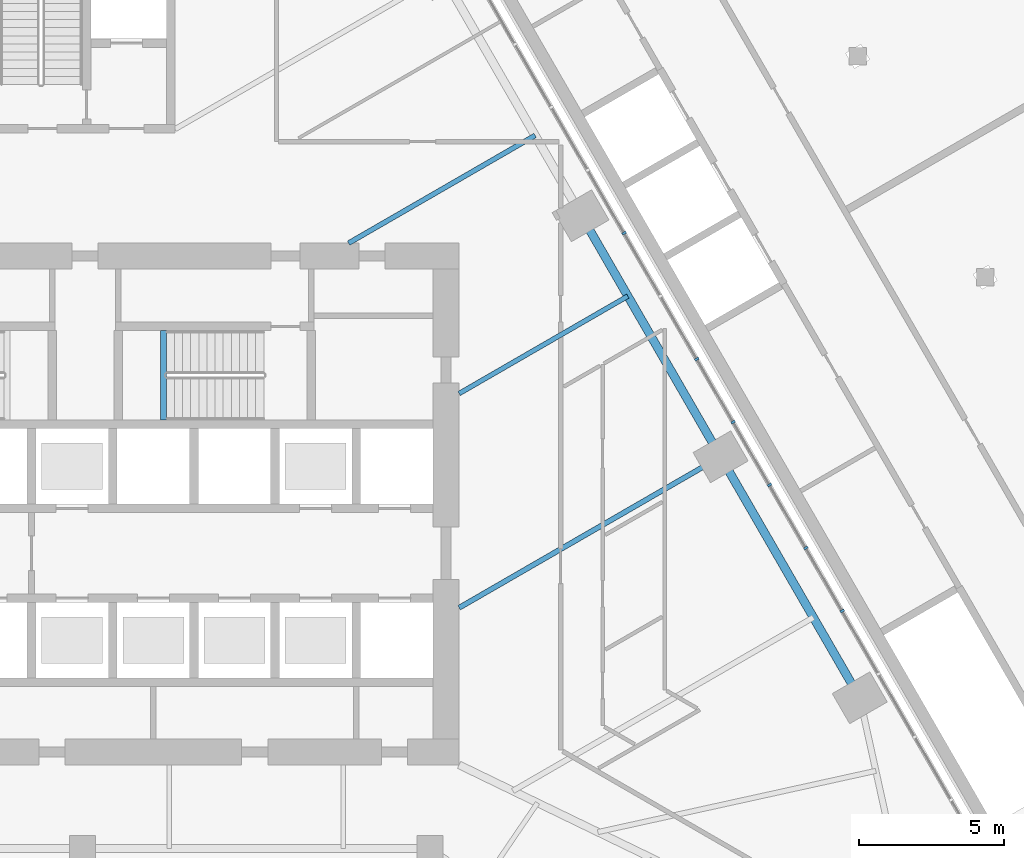
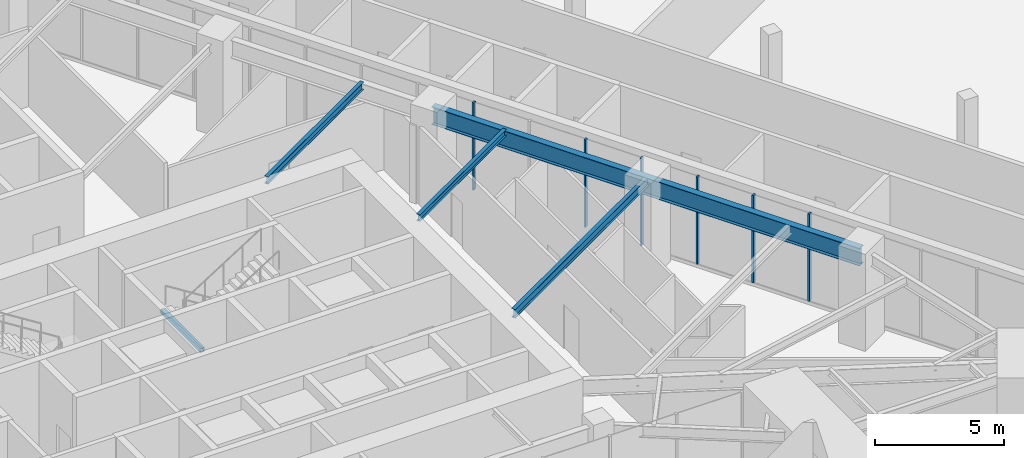
# One storey, part 7 of 23: 6 members, 5 beams, 1 element without a shape of its own.
"""IFC4 building model written with IfcOpenShell, lengths in metres."""

import ifcopenshell
import ifcopenshell.guid

model = None  # the IFC model being written
_history = None  # IfcOwnerHistory: only IFC2X3 demands one
_inside = {}  # id of a spatial element -> (the spatial element, [elements in it])
_under = {}  # id of a project, library or spatial element -> (it, [spatial elements below it])
_declared = {}  # id of a project -> (the project, [libraries it declares])
_typed = {}  # id of a type object -> (the type object, [elements of that type])
_made_of = {}  # id of a material, layer set ... -> (it, [elements and type objects made of it])


def new_model(schema):
    """Start an empty IFC model of exactly this schema.

    Asked for "IFC4X3", IfcOpenShell would pick the latest addendum, in which some entities
    have other attributes; the version numbers below select the first issue.
    IFC2X3 requires an IfcOwnerHistory on every rooted entity: one is made here for all.
    """
    global model, _history
    if schema == "IFC4X3":
        model = ifcopenshell.file(schema_version=(4, 3, 0, 0))
    else:
        model = ifcopenshell.file(schema=schema)
    _inside.clear()
    _under.clear()
    _declared.clear()
    _typed.clear()
    _made_of.clear()
    _history = None
    if model.schema == "IFC2X3":
        org = make("IfcOrganization", Name="unknown")
        user = make(
            "IfcPersonAndOrganization",
            ThePerson=make("IfcPerson", FamilyName="unknown"),
            TheOrganization=org,
        )
        app = make(
            "IfcApplication",
            ApplicationDeveloper=org,
            Version="unknown",
            ApplicationFullName="unknown",
            ApplicationIdentifier="unknown",
        )
        _history = make(
            "IfcOwnerHistory",
            OwningUser=user,
            OwningApplication=app,
            ChangeAction="ADDED",
            CreationDate=0,
        )
    return model


def make(cls, **values):
    """One entity of the class cls with the attributes given. An attribute that is None is left unset."""
    return model.create_entity(
        cls, **{name: value for name, value in values.items() if value is not None}
    )


def rooted(cls, **values):
    """An entity with a GlobalId (a new one), such as an element, a storey or a relation."""
    return make(cls, GlobalId=ifcopenshell.guid.new(), OwnerHistory=_history, **values)


def si_unit(unit_type, name, prefix=None):
    """IfcSIUnit, for example si_unit("LENGTHUNIT", "METRE", prefix="MILLI")."""
    return make("IfcSIUnit", UnitType=unit_type, Prefix=prefix, Name=name)


def assignment(units):
    """IfcUnitAssignment: the units of a project."""
    return None if units is None else make("IfcUnitAssignment", Units=units)


def point(xyz):
    """IfcCartesianPoint."""
    return None if xyz is None else make("IfcCartesianPoint", Coordinates=xyz)


def direction(xyz):
    """IfcDirection."""
    return None if xyz is None else make("IfcDirection", DirectionRatios=xyz)


def frame(location, z_axis=None, x_axis=None):
    """IfcAxis2Placement3D, a coordinate frame: its origin and axes. An axis left out is left unset."""
    return make(
        "IfcAxis2Placement3D",
        Location=point(location),
        Axis=direction(z_axis),
        RefDirection=direction(x_axis),
    )


def frame_2d(location, x_axis=None):
    """IfcAxis2Placement2D, a coordinate frame in the plane: its origin and x axis."""
    return make(
        "IfcAxis2Placement2D", Location=point(location), RefDirection=direction(x_axis)
    )


def origin():
    """The frame at (0, 0, 0) with its axes left unset."""
    return frame((0.0, 0.0, 0.0))


def origin_2d():
    """The frame at (0, 0) in the plane with its x axis left unset."""
    return frame_2d((0.0, 0.0))


def place(relative_to, where):
    """IfcLocalPlacement: puts the frame where relative to a parent placement (None: the world)."""
    return make(
        "IfcLocalPlacement", PlacementRelTo=relative_to, RelativePlacement=where
    )


def context(
    kind, dimensions, precision=None, world=None, true_north=None, identifier=None
):
    """IfcGeometricRepresentationContext, for example the 3D "Model" context."""
    return make(
        "IfcGeometricRepresentationContext",
        ContextIdentifier=identifier,
        ContextType=kind,
        CoordinateSpaceDimension=dimensions,
        Precision=precision,
        WorldCoordinateSystem=world,
        TrueNorth=true_north,
    )


def subcontext(parent, identifier, kind, view, scale=None):
    """IfcGeometricRepresentationSubContext, for example "Body" below "Model"."""
    return make(
        "IfcGeometricRepresentationSubContext",
        ContextIdentifier=identifier,
        ContextType=kind,
        ParentContext=parent,
        TargetScale=scale,
        TargetView=view,
    )


def project(units=None, contexts=None):
    """IfcProject with its units and contexts."""
    return rooted(
        "IfcProject",
        Name="project",
        RepresentationContexts=contexts,
        UnitsInContext=assignment(units),
    )


def spatial(cls, under=None, at=None, **own):
    """A site, building, storey or space (cls), placed at a placement, below another one or the project."""
    s = rooted(cls, ObjectPlacement=at, **own)
    if under is not None:
        _under.setdefault(under.id(), (under, []))[1].append(s)
    return s


def profile(cls, at=None, kind="AREA", **sizes):
    """A parametric profile (cls). Its sizes go by their IFC names, for example OverallWidth=200.0."""
    return make(cls, ProfileType=kind, Position=at, **sizes)


def rectangle(**sizes):
    """IfcRectangleProfileDef."""
    return profile("IfcRectangleProfileDef", **sizes)


def i_section(**sizes):
    """IfcIShapeProfileDef."""
    return profile("IfcIShapeProfileDef", **sizes)


def extrude(swept, where, along, depth):
    """IfcExtrudedAreaSolid: the profile swept, set in the frame where, extruded along a direction by depth."""
    return make(
        "IfcExtrudedAreaSolid",
        SweptArea=swept,
        Position=where,
        ExtrudedDirection=direction(along),
        Depth=depth,
    )


def shape(context_of_items, identifier, shape_type, items):
    """IfcShapeRepresentation: the items that make up one representation, for example the "Body"."""
    return make(
        "IfcShapeRepresentation",
        ContextOfItems=context_of_items,
        RepresentationIdentifier=identifier,
        RepresentationType=shape_type,
        Items=items,
    )


def material(Name=None, Category=None):
    """IfcMaterial."""
    return make("IfcMaterial", Name=Name, Category=Category)


def layer(
    of_material, thickness, ventilated=None, Name=None, Category=None, Priority=None
):
    """IfcMaterialLayer: one layer of a wall or slab, of a material (None: an air gap)."""
    return make(
        "IfcMaterialLayer",
        Material=of_material,
        LayerThickness=thickness,
        IsVentilated=ventilated,
        Name=Name,
        Category=Category,
        Priority=Priority,
    )


def layer_set(layers, Name=None):
    """IfcMaterialLayerSet."""
    return make("IfcMaterialLayerSet", MaterialLayers=layers, LayerSetName=Name)


def material_profile(
    of_material, cross_section, Name=None, Category=None, Priority=None
):
    """IfcMaterialProfile: a cross section and its material."""
    return make(
        "IfcMaterialProfile",
        Name=Name,
        Material=of_material,
        Profile=cross_section,
        Priority=Priority,
        Category=Category,
    )


def profile_set(profiles, Name=None, composite=None):
    """IfcMaterialProfileSet."""
    return make(
        "IfcMaterialProfileSet",
        Name=Name,
        MaterialProfiles=profiles,
        CompositeProfile=composite,
    )


def made_of(thing, what):
    """Note that an element or type object is made of a material, layer set ...; save() writes the relation."""
    if what is not None:
        _made_of.setdefault(what.id(), (what, []))[1].append(thing)
    return thing


def type_object(cls, material=None, **own):
    """A type object (cls), such as IfcWallType, which elements share."""
    return made_of(rooted(cls, **own), material)


def element(
    cls,
    number,
    at=None,
    inside=None,
    cuts=None,
    type_object=None,
    material=None,
    context=None,
    identifier="Body",
    shape_type=None,
    held_by="IfcProductDefinitionShape",
    body=None,
    shapes=None,
    **own,
):
    """One element of the class cls, such as IfcWall. Its Tag is "e" and its number.

    at: its placement. inside: the storey or other place that contains it. cuts: it is an
    opening in that element (IfcRelVoidsElement). A single representation is given by context,
    identifier, shape_type and body (its items); several are given by shapes. held_by: the class
    of the entity that holds the representations. save() writes the other relations.
    """
    e = rooted(cls, Tag="e%d" % number, ObjectPlacement=at, **own)
    if body is not None:
        shapes = [shape(context, identifier, shape_type, body)]
    if shapes is not None:
        e.Representation = make(held_by, Representations=shapes)
    if inside is not None:
        _inside.setdefault(inside.id(), (inside, []))[1].append(e)
    if cuts is not None:
        rooted(
            "IfcRelVoidsElement", RelatingBuildingElement=cuts, RelatedOpeningElement=e
        )
    if type_object is not None:
        _typed.setdefault(type_object.id(), (type_object, []))[1].append(e)
    return made_of(e, material)


def aggregate(whole, parts):
    """IfcRelAggregates: a whole, such as a stair, and the parts it consists of."""
    return rooted("IfcRelAggregates", RelatingObject=whole, RelatedObjects=parts)


def save(model, path):
    """Write the relations noted so far, then the file.

    IfcRelAggregates (storeys below a building ...), IfcRelContainedInSpatialStructure (elements
    in a storey), IfcRelDefinesByType, IfcRelAssociatesMaterial and IfcRelDeclares: one each for
    every whole, place, type object, material and project.
    """
    for whole, parts in _under.values():
        aggregate(whole, parts)
    for where, things in _inside.values():
        rooted(
            "IfcRelContainedInSpatialStructure",
            RelatedElements=things,
            RelatingStructure=where,
        )
    for kind, things in _typed.values():
        rooted("IfcRelDefinesByType", RelatedObjects=things, RelatingType=kind)
    for what, things in _made_of.values():
        rooted("IfcRelAssociatesMaterial", RelatedObjects=things, RelatingMaterial=what)
    for by, libraries in _declared.values():
        rooted("IfcRelDeclares", RelatingContext=by, RelatedDefinitions=libraries)
    model.write(path)


model = new_model("IFC4")

# Units and contexts
model_context = context("Model", 3, precision=1e-05, world=origin(), true_north=direction((0.0, 1.0)))
body_context = subcontext(model_context, "Body", "Model", "MODEL_VIEW")
ifc_project = project(units=[si_unit("LENGTHUNIT", "METRE"), si_unit("AREAUNIT", "SQUARE_METRE"), si_unit("VOLUMEUNIT", "CUBIC_METRE"), si_unit("PLANEANGLEUNIT", "RADIAN"), si_unit("MASSUNIT", "GRAM", prefix="KILO")], contexts=[model_context])

# Site, building, storey
site_placement = place(None, origin())
site = spatial("IfcSite", under=ifc_project, at=site_placement, CompositionType="ELEMENT")
building_placement = place(site_placement, origin())
building = spatial("IfcBuilding", under=site, at=building_placement, Name="Firuza Gate Tower and Library", CompositionType="ELEMENT")
storey_placement = place(building_placement, frame((0.0, 0.0, 21.800048828125)))
storey = spatial("IfcBuildingStorey", under=building, at=storey_placement, Name="L04", CompositionType="ELEMENT", Elevation=21.800048828125)

# Curtain wall, members
ifc_material_1 = material(Name="Aluminium 6063-T6", Category="aluminium")
ifc_layer = layer(ifc_material_1, 0.14990234375)
ifc_layer_set = layer_set([ifc_layer], Name="Stick curtain wall, podium")
curtain_wall_type = type_object("IfcCurtainWallType", Name="Stick curtain wall, podium", PredefinedType="NOTDEFINED", material=ifc_layer_set)
curtain_wall_placement = place(storey_placement, origin())
curtain_wall = element("IfcCurtainWall", 1, at=curtain_wall_placement, inside=storey, type_object=curtain_wall_type, Name="CW5 L04 E", PredefinedType="NOTDEFINED")
ifc_material_2 = material(Name="Aluminium 6063-T6", Category="aluminium")
ifc_material_profile_1 = material_profile(ifc_material_2, rectangle(XDim=0.14990234375, YDim=0.080078125, at=origin_2d()))
ifc_profile_set_1 = profile_set([ifc_material_profile_1], Name="Aluminium 6063-T6")
member_type = type_object("IfcMemberType", Name="Curtain wall mullion 80x150", PredefinedType="MULLION", material=ifc_profile_set_1)
member_1_placement = place(storey_placement, frame((101.21630859375, 71.311279296875, 0.14990234375), z_axis=(0.0, 0.0, 1.0), x_axis=(-0.866025403784, -0.5, 0.0)))
member_1 = element("IfcMember", 2, at=member_1_placement, type_object=member_type, Name="Mullion", PredefinedType="MULLION", context=body_context, shape_type="SweptSolid", body=[
    extrude(rectangle(XDim=0.14990234375, YDim=0.080078125, at=origin_2d()), origin(), (0.0, 0.0, 1.0), 4.150146484375),
])
member_2_placement = place(storey_placement, frame((99.962158203125, 73.4833984375, 0.14990234375), z_axis=(0.0, 0.0, 1.0), x_axis=(-0.866025403784, -0.5, 0.0)))
member_2 = element("IfcMember", 3, at=member_2_placement, type_object=member_type, Name="Mullion", PredefinedType="MULLION", context=body_context, shape_type="SweptSolid", body=[
    extrude(rectangle(XDim=0.14990234375, YDim=0.080078125, at=origin_2d()), origin(), (0.0, 0.0, 1.0), 4.150146484375),
])
member_3_placement = place(storey_placement, frame((98.708251953125, 75.655517578125, 0.14990234375), z_axis=(0.0, 0.0, 1.0), x_axis=(-0.866025403784, -0.5, 0.0)))
member_3 = element("IfcMember", 4, at=member_3_placement, type_object=member_type, Name="Mullion", PredefinedType="MULLION", context=body_context, shape_type="SweptSolid", body=[
    extrude(rectangle(XDim=0.14990234375, YDim=0.080078125, at=origin_2d()), origin(), (0.0, 0.0, 1.0), 4.150146484375),
])
member_4_placement = place(storey_placement, frame((97.4541015625, 77.827392578125, 0.14990234375), z_axis=(0.0, 0.0, 1.0), x_axis=(-0.866025403784, -0.5, 0.0)))
member_4 = element("IfcMember", 5, at=member_4_placement, type_object=member_type, Name="Mullion", PredefinedType="MULLION", context=body_context, shape_type="SweptSolid", body=[
    extrude(rectangle(XDim=0.14990234375, YDim=0.080078125, at=origin_2d()), origin(), (0.0, 0.0, 1.0), 4.150146484375),
])
member_5_placement = place(storey_placement, frame((96.2001953125, 79.99951171875, 0.14990234375), z_axis=(0.0, 0.0, 1.0), x_axis=(-0.866025403784, -0.5, 0.0)))
member_5 = element("IfcMember", 6, at=member_5_placement, type_object=member_type, Name="Mullion", PredefinedType="MULLION", context=body_context, shape_type="SweptSolid", body=[
    extrude(rectangle(XDim=0.14990234375, YDim=0.080078125, at=origin_2d()), origin(), (0.0, 0.0, 1.0), 4.150146484375),
])
member_6_placement = place(storey_placement, frame((93.69189453125, 84.34375, 0.14990234375), z_axis=(0.0, 0.0, 1.0), x_axis=(-0.866025403784, -0.5, 0.0)))
member_6 = element("IfcMember", 7, at=member_6_placement, type_object=member_type, Name="Mullion", PredefinedType="MULLION", context=body_context, shape_type="SweptSolid", body=[
    extrude(rectangle(XDim=0.14990234375, YDim=0.080078125, at=origin_2d()), origin(), (0.0, 0.0, 1.0), 4.150146484375),
])
aggregate(curtain_wall, [member_1, member_2, member_3, member_4, member_5, member_6])

# Beams
ifc_material_3 = material(Name="Concrete C35/45", Category="concrete")
ifc_material_profile_2 = material_profile(ifc_material_3, rectangle(XDim=0.199951171875, YDim=0.199951171875, at=origin_2d()))
ifc_profile_set_2 = profile_set([ifc_material_profile_2], Name="Concrete C35/45")
beam_type_1 = type_object("IfcBeamType", Name="Stair landing bearer 200x200", PredefinedType="BEAM", material=ifc_profile_set_2)
beam_1_placement = place(storey_placement, frame((77.800048828125, 80.97998046875, 2.0), z_axis=(0.0, -1.0, 0.0), x_axis=(1.0, 0.0, 0.0)))
element("IfcBeam", 8, at=beam_1_placement, inside=storey, type_object=beam_type_1, Name="Landing bearer L04 stair 2", PredefinedType="BEAM", context=body_context, shape_type="SweptSolid", body=[
    extrude(rectangle(XDim=0.199951171875, YDim=0.199951171875, at=origin_2d()), origin(), (0.0, 0.0, 1.0), 3.080078125),
])
ifc_material_4 = material(Name="Steel S355", Category="steel")
ifc_material_profile_3 = material_profile(ifc_material_4, i_section(OverallWidth=0.1650390625, OverallDepth=0.31005859375, WebThickness=0.005859375, FlangeThickness=0.009765625, at=origin_2d()))
ifc_profile_set_3 = profile_set([ifc_material_profile_3], Name="Steel S355")
beam_type_2 = type_object("IfcBeamType", Name="W310x39 Floor beam", PredefinedType="JOIST", material=ifc_profile_set_3)
beam_2_placement = place(storey_placement, frame((93.820556640625, 82.171142578125, 4.14501953125), z_axis=(-0.866019234261, -0.500010685776, 0.0), x_axis=(0.500010685776, -0.866019234261, 0.0)))
element("IfcBeam", 9, at=beam_2_placement, inside=storey, type_object=beam_type_2, Name="Floor beam L04 s72", PredefinedType="JOIST", context=body_context, shape_type="SweptSolid", body=[
    extrude(i_section(OverallWidth=0.1650390625, OverallDepth=0.31005859375, WebThickness=0.005859375, FlangeThickness=0.009765625, at=origin_2d()), origin(), (0.0, 0.0, 1.0), 6.720947265625),
])
ifc_material_5 = material(Name="Steel S355", Category="steel")
ifc_material_profile_4 = material_profile(ifc_material_5, i_section(OverallWidth=0.1708984375, OverallDepth=0.35498046875, WebThickness=0.007080078125, FlangeThickness=0.01171875, at=origin_2d()))
ifc_profile_set_4 = profile_set([ifc_material_profile_4], Name="Steel S355")
beam_type_3 = type_object("IfcBeamType", Name="W360x51 Floor beam", PredefinedType="JOIST", material=ifc_profile_set_4)
beam_3_placement = place(storey_placement, frame((90.62060546875, 87.713623046875, 4.12255859375), z_axis=(-0.866023556141, -0.500003200199, 0.0), x_axis=(0.500003200199, -0.866023556141, 0.0)))
element("IfcBeam", 10, at=beam_3_placement, inside=storey, type_object=beam_type_3, Name="Floor beam L04 s73", PredefinedType="JOIST", context=body_context, shape_type="SweptSolid", body=[
    extrude(i_section(OverallWidth=0.1708984375, OverallDepth=0.35498046875, WebThickness=0.007080078125, FlangeThickness=0.01171875, at=origin_2d()), origin(), (0.0, 0.0, 1.0), 7.42724609375),
])
ifc_material_6 = material(Name="Steel S355", Category="steel")
ifc_material_profile_5 = material_profile(ifc_material_6, i_section(OverallWidth=0.177978515625, OverallDepth=0.406982421875, WebThickness=0.0078125, FlangeThickness=0.0126953125, at=origin_2d()))
ifc_profile_set_5 = profile_set([ifc_material_profile_5], Name="Steel S355")
beam_type_4 = type_object("IfcBeamType", Name="W410x60 Floor beam", PredefinedType="JOIST", material=ifc_profile_set_5)
beam_4_placement = place(storey_placement, frame((97.0205078125, 76.62841796875, 4.096435546875), z_axis=(-0.866024771944, -0.500001094379, 0.0), x_axis=(0.500001094379, -0.866024771944, 0.0)))
element("IfcBeam", 11, at=beam_4_placement, inside=storey, type_object=beam_type_4, Name="Floor beam L04 s71", PredefinedType="JOIST", context=body_context, shape_type="SweptSolid", body=[
    extrude(i_section(OverallWidth=0.177978515625, OverallDepth=0.406982421875, WebThickness=0.0078125, FlangeThickness=0.0126953125, at=origin_2d()), origin(), (0.0, 0.0, 1.0), 10.416015625),
])
ifc_material_7 = material(Name="Steel S355", Category="steel")
ifc_material_profile_6 = material_profile(ifc_material_7, i_section(OverallWidth=0.2919921875, OverallDepth=0.8349609375, WebThickness=0.013916015625, FlangeThickness=0.018798828125, at=origin_2d()))
ifc_profile_set_6 = profile_set([ifc_material_profile_6], Name="Steel S355")
beam_type_5 = type_object("IfcBeamType", Name="W840x176 Edge beam", PredefinedType="SPANDREL", material=ifc_profile_set_6)
beam_5_placement = place(storey_placement, frame((101.820556640625, 68.314697265625, 3.882568359375), z_axis=(-0.500003864429, 0.866023172644, 0.0), x_axis=(-0.866023172644, -0.500003864429, 0.0)))
element("IfcBeam", 12, at=beam_5_placement, inside=storey, type_object=beam_type_5, Name="Edge beam L04 e70", PredefinedType="SPANDREL", context=body_context, shape_type="SweptSolid", body=[
    extrude(i_section(OverallWidth=0.2919921875, OverallDepth=0.8349609375, WebThickness=0.013916015625, FlangeThickness=0.018798828125, at=origin_2d()), origin(), (0.0, 0.0, 1.0), 19.199951171875),
])

save(model, "model.ifc")
